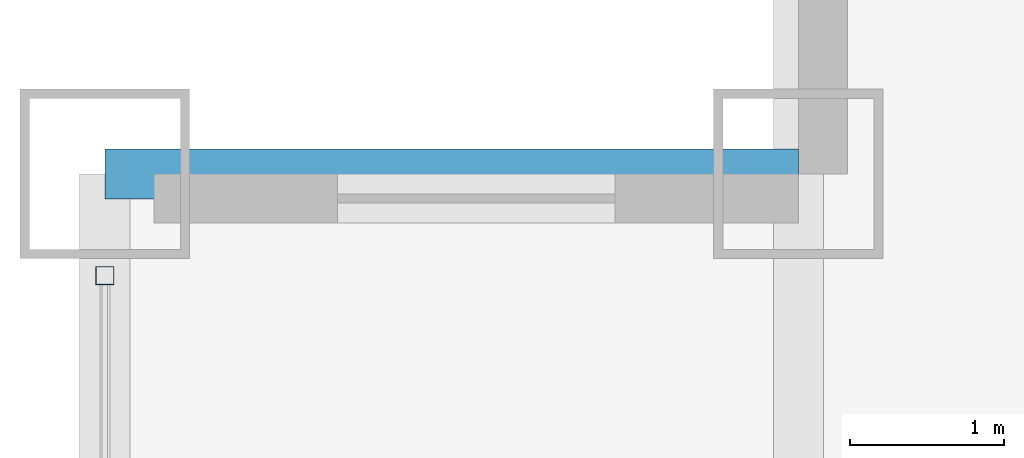
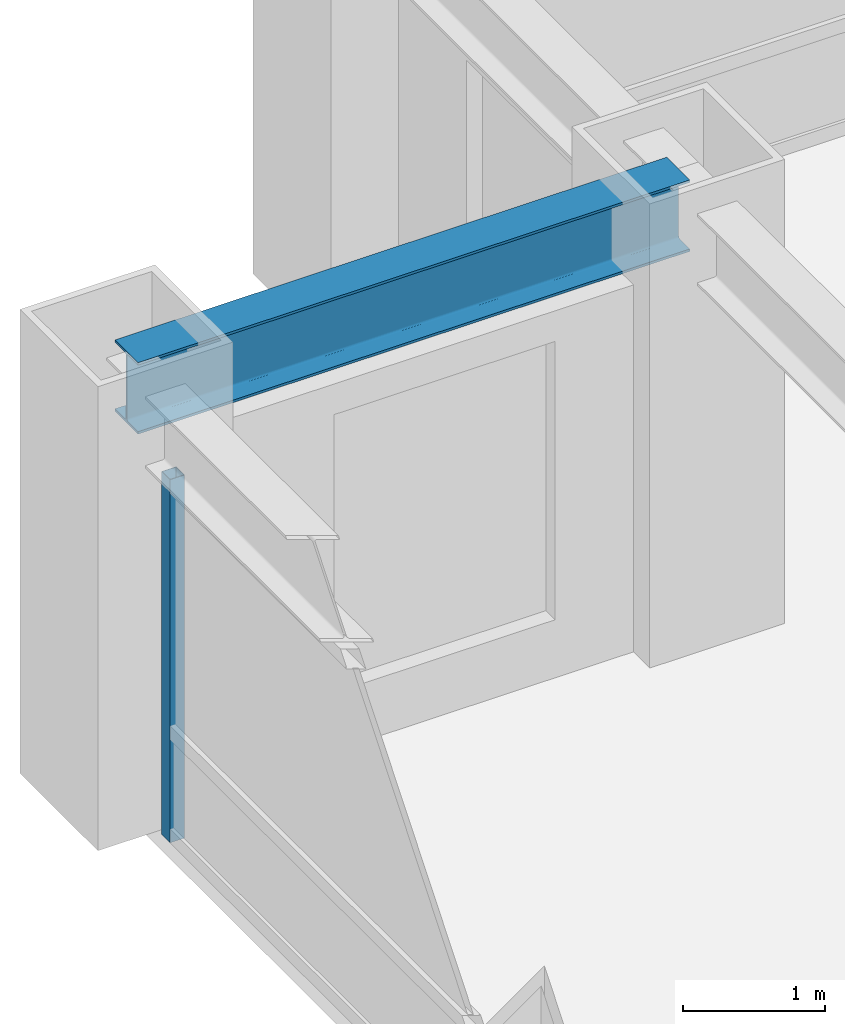
# One storey, part 12 of 25: 1 beam, 1 member, 1 element without a shape of its own.
"""IFC4 building model written with IfcOpenShell, lengths in metres."""

from ifc_helpers import new_model, si_unit, direction, frame, origin, origin_2d, place, context, subcontext, project, spatial, hollow_rectangle, i_section, extrude, source, transform, mapped, material, material_profile, profile_set, type_object, element, aggregate, save


model = new_model("IFC4")

# Units and contexts
model_context = context("Model", 3, precision=1e-05, world=origin(), true_north=direction((0.0, 1.0)))
body_context = subcontext(model_context, "Body", "Model", "MODEL_VIEW")
ifc_project = project(units=[si_unit("LENGTHUNIT", "METRE"), si_unit("AREAUNIT", "SQUARE_METRE"), si_unit("VOLUMEUNIT", "CUBIC_METRE"), si_unit("PLANEANGLEUNIT", "RADIAN"), si_unit("MASSUNIT", "GRAM", prefix="KILO")], contexts=[model_context])

# Site, building, storey
site_placement = place(None, origin())
site = spatial("IfcSite", under=ifc_project, at=site_placement, CompositionType="ELEMENT")
building_placement = place(site_placement, origin())
building = spatial("IfcBuilding", under=site, at=building_placement, Name="Khorayat Bourse Tower", CompositionType="ELEMENT")
storey_placement = place(building_placement, frame((0.0, 0.0, 199.10009765625)))
storey = spatial("IfcBuildingStorey", under=building, at=storey_placement, Name="L46", CompositionType="ELEMENT", Elevation=199.10009765625)

# Beam
ifc_material_1 = material(Name="Steel ASTM A992 Grade 50", Category="steel")
ifc_material_profile_1 = material_profile(ifc_material_1, i_section(OverallWidth=0.324951171875, OverallDepth=0.615966796875, WebThickness=0.013916015625, FlangeThickness=0.021484375, FilletRadius=0.01611328125, at=origin_2d()), Name="W610X174")
ifc_profile_set_1 = profile_set([ifc_material_profile_1], Name="Steel ASTM A992 Grade 50")
beam_type = type_object("IfcBeamType", Name="BM-SPAN-610", PredefinedType="SPANDREL", material=ifc_profile_set_1)
shared_shape_1 = source(origin(), body_context, "Body", "SweptSolid", [
    extrude(i_section(OverallWidth=0.324951171875, OverallDepth=0.615966796875, WebThickness=0.013916015625, FlangeThickness=0.021484375, FilletRadius=0.01611328125, at=origin_2d()), origin(), (0.0, 0.0, 1.0), 4.5),
])
beam_placement = place(storey_placement, frame((-30.0, 25.5, 3.471923828125), z_axis=(1.0, 0.0, 0.0), x_axis=(0.0, 1.0, 0.0)))
element("IfcBeam", 1, at=beam_placement, inside=storey, type_object=beam_type, Name="L46 BM-SPAN-610 BM-L46-SPN-053", PredefinedType="SPANDREL", context=body_context, shape_type="MappedRepresentation", body=[
    mapped(shared_shape_1, transform((0.0, 0.0, 0.0), scale=1.0)),
])

# Curtain wall, member
ifc_material_2 = material(Name="Aluminium EN AW-6063 T6", Category="aluminium")
curtain_wall_type = type_object("IfcCurtainWallType", Name="CW-SYS-03", PredefinedType="NOTDEFINED", material=ifc_material_2)
curtain_wall_placement = place(storey_placement, origin())
curtain_wall = element("IfcCurtainWall", 2, at=curtain_wall_placement, inside=storey, type_object=curtain_wall_type, Name="L46 Curtain Wall CW-L46-W1", PredefinedType="NOTDEFINED")
ifc_material_profile_2 = material_profile(ifc_material_2, hollow_rectangle(XDim=0.1201171875, YDim=0.1201171875, WallThickness=0.0048828125, at=origin_2d()), Name="ALU 120x120x5")
ifc_profile_set_2 = profile_set([ifc_material_profile_2], Name="Aluminium EN AW-6063 T6")
member_type = type_object("IfcMemberType", Name="CWM-VERT-120", PredefinedType="MULLION", material=ifc_profile_set_2)
shared_shape_2 = source(origin(), body_context, "Body", "SweptSolid", [
    extrude(hollow_rectangle(XDim=0.1201171875, YDim=0.1201171875, WallThickness=0.0048828125, at=origin_2d()), origin(), (0.0, 0.0, 1.0), 3.1298828125),
])
member_placement = place(storey_placement, frame((-30.0, 24.840087890625, 0.0), z_axis=(0.0, 0.0, 1.0), x_axis=(-1.0, 0.0, 0.0)))
member = element("IfcMember", 3, at=member_placement, type_object=member_type, Name="CW-L46-W1 Vertical Mullion 3", PredefinedType="MULLION", context=body_context, shape_type="MappedRepresentation", body=[
    mapped(shared_shape_2, transform((0.0, 0.0, 0.0), scale=1.0)),
])
aggregate(curtain_wall, [member])

save(model, "model.ifc")
